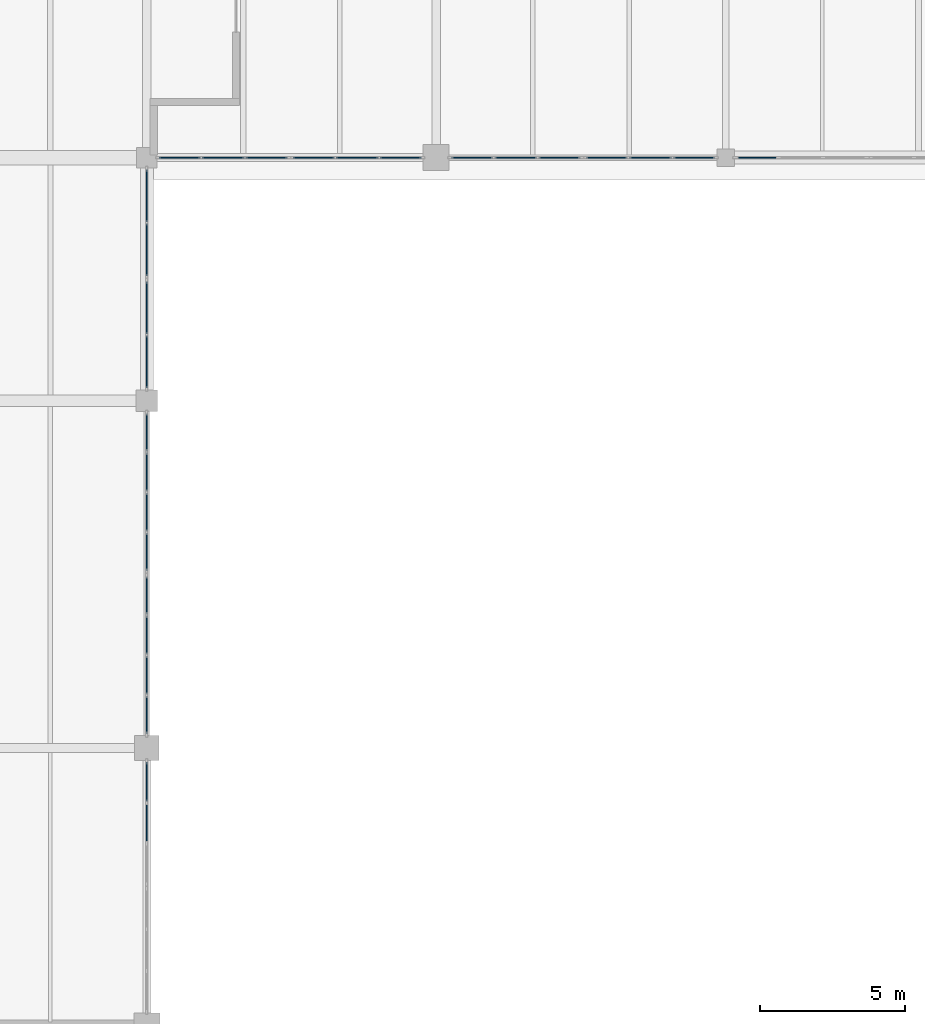
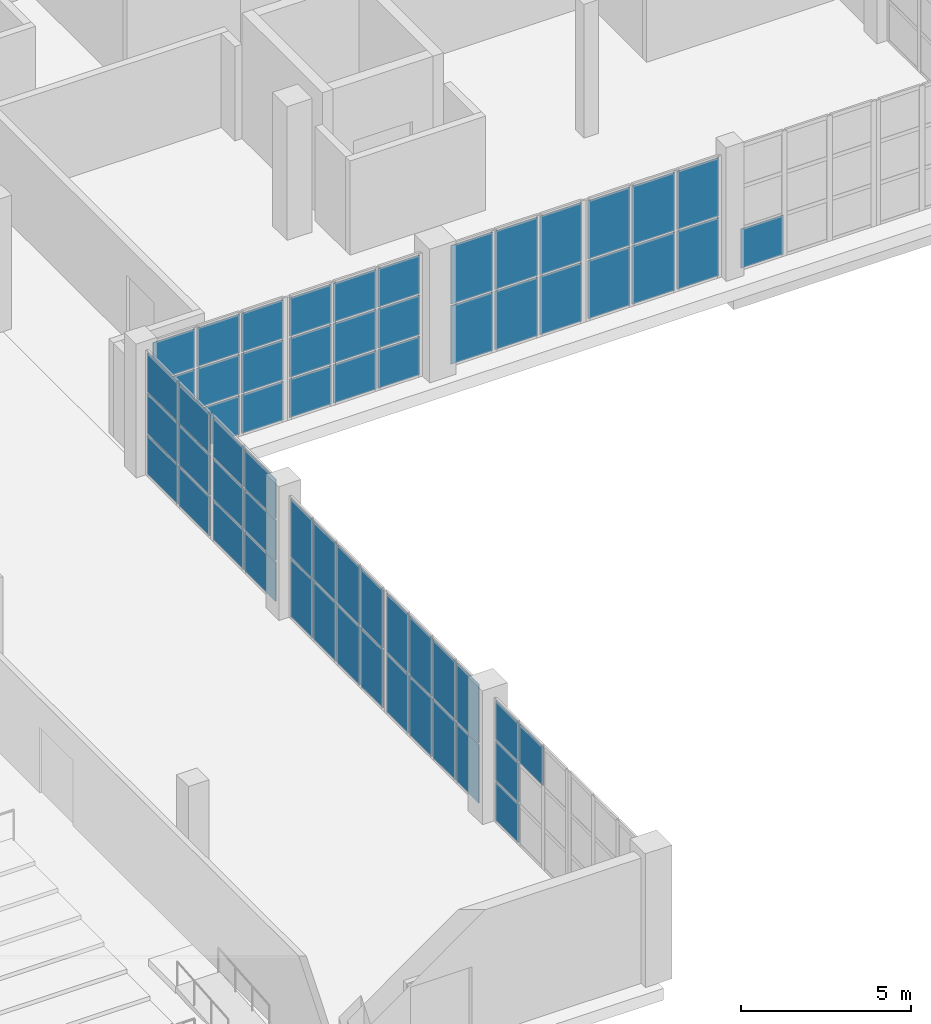
# One storey, part 92 of 121: 63 plates, 10 elements without a shape of their own.
"""IFC4 building model written with IfcOpenShell, lengths in metres."""

from ifc_helpers import new_model, si_unit, direction, frame, origin, origin_2d, place, context, subcontext, project, spatial, rectangle, extrude, material, layer, layer_set, type_object, element, aggregate, save


model = new_model("IFC4")

# Units and contexts
model_context = context("Model", 3, precision=1e-05, world=origin(), true_north=direction((0.0, 1.0)))
body_context = subcontext(model_context, "Body", "Model", "MODEL_VIEW")
ifc_project = project(units=[si_unit("LENGTHUNIT", "METRE"), si_unit("AREAUNIT", "SQUARE_METRE"), si_unit("VOLUMEUNIT", "CUBIC_METRE"), si_unit("PLANEANGLEUNIT", "RADIAN"), si_unit("MASSUNIT", "GRAM", prefix="KILO")], contexts=[model_context])

# Site, building, storey
site_placement = place(None, origin())
site = spatial("IfcSite", under=ifc_project, at=site_placement, CompositionType="ELEMENT")
building_placement = place(site_placement, origin())
building = spatial("IfcBuilding", under=site, at=building_placement, Name="Zereglee Splitstone Museum", CompositionType="ELEMENT")
storey_placement = place(building_placement, origin())
storey = spatial("IfcBuildingStorey", under=building, at=storey_placement, Name="L00", CompositionType="ELEMENT", Elevation=0.0)

# Curtain wall, plates
ifc_material_1 = material(Name="Triple-glazed low-E argon glass and bronze-anodised aluminium", Category="aluminium")
ifc_layer_1 = layer(ifc_material_1, 0.179931640625)
ifc_layer_set_1 = layer_set([ifc_layer_1], Name="Triple-glazed low-E argon glass and bronze-anodised aluminium")
curtain_wall_type_1 = type_object("IfcCurtainWallType", Name="CW-0431-442", PredefinedType="USERDEFINED", material=ifc_layer_set_1)
curtain_wall_1_placement = place(storey_placement, origin())
curtain_wall_1 = element("IfcCurtainWall", 1, at=curtain_wall_1_placement, inside=storey, type_object=curtain_wall_type_1, Name="Glazed Curtain Wall CW-0431-442 (L00)", ObjectType="GLAZED CURTAIN WALL", PredefinedType="USERDEFINED")
ifc_material_2 = material(Name="Triple low-e argon insulated safety glass", Category="glass")
ifc_layer_2 = layer(ifc_material_2, 0.035888671875)
ifc_layer_set_2 = layer_set([ifc_layer_2], Name="Triple low-e argon insulated safety glass")
plate_type = type_object("IfcPlateType", Name="CWP-01", PredefinedType="CURTAIN_PANEL", material=ifc_layer_set_2)
plate_1_placement = place(storey_placement, frame((296.0, 7.009765625, 2.97900390625), z_axis=(0.0, 0.0, 1.0), x_axis=(0.0, 1.0, 0.0)))
plate_1 = element("IfcPlate", 2, at=plate_1_placement, type_object=plate_type, Name="CW-0431-442 panel 2.3", PredefinedType="CURTAIN_PANEL", context=body_context, shape_type="SweptSolid", body=[
    extrude(rectangle(XDim=1.373046875, YDim=0.035888671875, at=origin_2d()), origin(), (0.0, 0.0, 1.0), 1.375732421875),
])
plate_2_placement = place(storey_placement, frame((296.0, 8.431640625, 0.06494140625), z_axis=(0.0, 0.0, 1.0), x_axis=(0.0, 1.0, 0.0)))
plate_2 = element("IfcPlate", 3, at=plate_2_placement, type_object=plate_type, Name="CW-0431-442 panel 3.1", PredefinedType="CURTAIN_PANEL", context=body_context, shape_type="SweptSolid", body=[
    extrude(rectangle(XDim=1.340576171875, YDim=0.035888671875, at=origin_2d()), origin(), (0.0, 0.0, 1.0), 1.375732421875),
])
plate_3_placement = place(storey_placement, frame((296.0, 8.431640625, 1.505859375), z_axis=(0.0, 0.0, 1.0), x_axis=(0.0, 1.0, 0.0)))
plate_3 = element("IfcPlate", 4, at=plate_3_placement, type_object=plate_type, Name="CW-0431-442 panel 3.2", PredefinedType="CURTAIN_PANEL", context=body_context, shape_type="SweptSolid", body=[
    extrude(rectangle(XDim=1.340576171875, YDim=0.035888671875, at=origin_2d()), origin(), (0.0, 0.0, 1.0), 1.408447265625),
])
plate_4_placement = place(storey_placement, frame((296.0, 8.431640625, 2.97900390625), z_axis=(0.0, 0.0, 1.0), x_axis=(0.0, 1.0, 0.0)))
plate_4 = element("IfcPlate", 5, at=plate_4_placement, type_object=plate_type, Name="CW-0431-442 panel 3.3", PredefinedType="CURTAIN_PANEL", context=body_context, shape_type="SweptSolid", body=[
    extrude(rectangle(XDim=1.340576171875, YDim=0.035888671875, at=origin_2d()), origin(), (0.0, 0.0, 1.0), 1.375732421875),
])
aggregate(curtain_wall_1, [plate_1, plate_2, plate_3, plate_4])

ifc_layer_3 = layer(ifc_material_1, 0.179931640625)
ifc_layer_set_3 = layer_set([ifc_layer_3], Name="Triple-glazed low-E argon glass and bronze-anodised aluminium")
curtain_wall_type_2 = type_object("IfcCurtainWallType", Name="CW-0555-438", PredefinedType="USERDEFINED", material=ifc_layer_set_3)
curtain_wall_2_placement = place(storey_placement, origin())
curtain_wall_2 = element("IfcCurtainWall", 6, at=curtain_wall_2_placement, inside=storey, type_object=curtain_wall_type_2, Name="Glazed Curtain Wall CW-0555-438 (L00)", ObjectType="GLAZED CURTAIN WALL", PredefinedType="USERDEFINED")
plate_5_placement = place(storey_placement, frame((296.0, 10.7431640625, 0.06494140625), z_axis=(0.0, 0.0, 1.0), x_axis=(0.0, 1.0, 0.0)))
plate_5 = element("IfcPlate", 7, at=plate_5_placement, type_object=plate_type, Name="CW-0555-438 panel 1.1", PredefinedType="CURTAIN_PANEL", context=body_context, shape_type="SweptSolid", body=[
    extrude(rectangle(XDim=1.29052734375, YDim=0.035888671875, at=origin_2d()), origin(), (0.0, 0.0, 1.0), 2.092529296875),
])
plate_6_placement = place(storey_placement, frame((296.0, 10.7431640625, 2.22265625), z_axis=(0.0, 0.0, 1.0), x_axis=(0.0, 1.0, 0.0)))
plate_6 = element("IfcPlate", 8, at=plate_6_placement, type_object=plate_type, Name="CW-0555-438 panel 1.2", PredefinedType="CURTAIN_PANEL", context=body_context, shape_type="SweptSolid", body=[
    extrude(rectangle(XDim=1.29052734375, YDim=0.035888671875, at=origin_2d()), origin(), (0.0, 0.0, 1.0), 2.092529296875),
])
plate_7_placement = place(storey_placement, frame((296.0, 12.114990234375, 0.06494140625), z_axis=(0.0, 0.0, 1.0), x_axis=(0.0, 1.0, 0.0)))
plate_7 = element("IfcPlate", 9, at=plate_7_placement, type_object=plate_type, Name="CW-0555-438 panel 2.1", PredefinedType="CURTAIN_PANEL", context=body_context, shape_type="SweptSolid", body=[
    extrude(rectangle(XDim=1.322998046875, YDim=0.035888671875, at=origin_2d()), origin(), (0.0, 0.0, 1.0), 2.092529296875),
])
plate_8_placement = place(storey_placement, frame((296.0, 12.114990234375, 2.22265625), z_axis=(0.0, 0.0, 1.0), x_axis=(0.0, 1.0, 0.0)))
plate_8 = element("IfcPlate", 10, at=plate_8_placement, type_object=plate_type, Name="CW-0555-438 panel 2.2", PredefinedType="CURTAIN_PANEL", context=body_context, shape_type="SweptSolid", body=[
    extrude(rectangle(XDim=1.322998046875, YDim=0.035888671875, at=origin_2d()), origin(), (0.0, 0.0, 1.0), 2.092529296875),
])
plate_9_placement = place(storey_placement, frame((296.0, 13.5029296875, 0.06494140625), z_axis=(0.0, 0.0, 1.0), x_axis=(0.0, 1.0, 0.0)))
plate_9 = element("IfcPlate", 11, at=plate_9_placement, type_object=plate_type, Name="CW-0555-438 panel 3.1", PredefinedType="CURTAIN_PANEL", context=body_context, shape_type="SweptSolid", body=[
    extrude(rectangle(XDim=1.322998046875, YDim=0.035888671875, at=origin_2d()), origin(), (0.0, 0.0, 1.0), 2.092529296875),
])
plate_10_placement = place(storey_placement, frame((296.0, 13.5029296875, 2.22265625), z_axis=(0.0, 0.0, 1.0), x_axis=(0.0, 1.0, 0.0)))
plate_10 = element("IfcPlate", 12, at=plate_10_placement, type_object=plate_type, Name="CW-0555-438 panel 3.2", PredefinedType="CURTAIN_PANEL", context=body_context, shape_type="SweptSolid", body=[
    extrude(rectangle(XDim=1.322998046875, YDim=0.035888671875, at=origin_2d()), origin(), (0.0, 0.0, 1.0), 2.092529296875),
])
plate_11_placement = place(storey_placement, frame((296.0, 14.874755859375, 0.06494140625), z_axis=(0.0, 0.0, 1.0), x_axis=(0.0, 1.0, 0.0)))
plate_11 = element("IfcPlate", 13, at=plate_11_placement, type_object=plate_type, Name="CW-0555-438 panel 4.1", PredefinedType="CURTAIN_PANEL", context=body_context, shape_type="SweptSolid", body=[
    extrude(rectangle(XDim=1.29052734375, YDim=0.035888671875, at=origin_2d()), origin(), (0.0, 0.0, 1.0), 2.092529296875),
])
plate_12_placement = place(storey_placement, frame((296.0, 14.874755859375, 2.22265625), z_axis=(0.0, 0.0, 1.0), x_axis=(0.0, 1.0, 0.0)))
plate_12 = element("IfcPlate", 14, at=plate_12_placement, type_object=plate_type, Name="CW-0555-438 panel 4.2", PredefinedType="CURTAIN_PANEL", context=body_context, shape_type="SweptSolid", body=[
    extrude(rectangle(XDim=1.29052734375, YDim=0.035888671875, at=origin_2d()), origin(), (0.0, 0.0, 1.0), 2.092529296875),
])
aggregate(curtain_wall_2, [plate_5, plate_6, plate_7, plate_8, plate_9, plate_10, plate_11, plate_12])

ifc_layer_4 = layer(ifc_material_1, 0.179931640625)
ifc_layer_set_4 = layer_set([ifc_layer_4], Name="Triple-glazed low-E argon glass and bronze-anodised aluminium")
curtain_wall_type_3 = type_object("IfcCurtainWallType", Name="CW-0555-436", PredefinedType="USERDEFINED", material=ifc_layer_set_4)
curtain_wall_3_placement = place(storey_placement, origin())
curtain_wall_3 = element("IfcCurtainWall", 15, at=curtain_wall_3_placement, inside=storey, type_object=curtain_wall_type_3, Name="Glazed Curtain Wall CW-0555-436 (L00)", ObjectType="GLAZED CURTAIN WALL", PredefinedType="USERDEFINED")
plate_13_placement = place(storey_placement, frame((296.0, 16.375244140625, 0.06494140625), z_axis=(0.0, 0.0, 1.0), x_axis=(0.0, 1.0, 0.0)))
plate_13 = element("IfcPlate", 16, at=plate_13_placement, type_object=plate_type, Name="CW-0555-436 panel 1.1", PredefinedType="CURTAIN_PANEL", context=body_context, shape_type="SweptSolid", body=[
    extrude(rectangle(XDim=1.29052734375, YDim=0.035888671875, at=origin_2d()), origin(), (0.0, 0.0, 1.0), 2.08251953125),
])
plate_14_placement = place(storey_placement, frame((296.0, 16.375244140625, 2.21240234375), z_axis=(0.0, 0.0, 1.0), x_axis=(0.0, 1.0, 0.0)))
plate_14 = element("IfcPlate", 17, at=plate_14_placement, type_object=plate_type, Name="CW-0555-436 panel 1.2", PredefinedType="CURTAIN_PANEL", context=body_context, shape_type="SweptSolid", body=[
    extrude(rectangle(XDim=1.29052734375, YDim=0.035888671875, at=origin_2d()), origin(), (0.0, 0.0, 1.0), 2.08251953125),
])
plate_15_placement = place(storey_placement, frame((296.0, 17.7470703125, 0.06494140625), z_axis=(0.0, 0.0, 1.0), x_axis=(0.0, 1.0, 0.0)))
plate_15 = element("IfcPlate", 18, at=plate_15_placement, type_object=plate_type, Name="CW-0555-436 panel 2.1", PredefinedType="CURTAIN_PANEL", context=body_context, shape_type="SweptSolid", body=[
    extrude(rectangle(XDim=1.322998046875, YDim=0.035888671875, at=origin_2d()), origin(), (0.0, 0.0, 1.0), 2.08251953125),
])
plate_16_placement = place(storey_placement, frame((296.0, 17.7470703125, 2.21240234375), z_axis=(0.0, 0.0, 1.0), x_axis=(0.0, 1.0, 0.0)))
plate_16 = element("IfcPlate", 19, at=plate_16_placement, type_object=plate_type, Name="CW-0555-436 panel 2.2", PredefinedType="CURTAIN_PANEL", context=body_context, shape_type="SweptSolid", body=[
    extrude(rectangle(XDim=1.322998046875, YDim=0.035888671875, at=origin_2d()), origin(), (0.0, 0.0, 1.0), 2.08251953125),
])
plate_17_placement = place(storey_placement, frame((296.0, 19.135009765625, 0.06494140625), z_axis=(0.0, 0.0, 1.0), x_axis=(0.0, 1.0, 0.0)))
plate_17 = element("IfcPlate", 20, at=plate_17_placement, type_object=plate_type, Name="CW-0555-436 panel 3.1", PredefinedType="CURTAIN_PANEL", context=body_context, shape_type="SweptSolid", body=[
    extrude(rectangle(XDim=1.322998046875, YDim=0.035888671875, at=origin_2d()), origin(), (0.0, 0.0, 1.0), 2.08251953125),
])
plate_18_placement = place(storey_placement, frame((296.0, 19.135009765625, 2.21240234375), z_axis=(0.0, 0.0, 1.0), x_axis=(0.0, 1.0, 0.0)))
plate_18 = element("IfcPlate", 21, at=plate_18_placement, type_object=plate_type, Name="CW-0555-436 panel 3.2", PredefinedType="CURTAIN_PANEL", context=body_context, shape_type="SweptSolid", body=[
    extrude(rectangle(XDim=1.322998046875, YDim=0.035888671875, at=origin_2d()), origin(), (0.0, 0.0, 1.0), 2.08251953125),
])
plate_19_placement = place(storey_placement, frame((296.0, 20.5068359375, 0.06494140625), z_axis=(0.0, 0.0, 1.0), x_axis=(0.0, 1.0, 0.0)))
plate_19 = element("IfcPlate", 22, at=plate_19_placement, type_object=plate_type, Name="CW-0555-436 panel 4.1", PredefinedType="CURTAIN_PANEL", context=body_context, shape_type="SweptSolid", body=[
    extrude(rectangle(XDim=1.29052734375, YDim=0.035888671875, at=origin_2d()), origin(), (0.0, 0.0, 1.0), 2.08251953125),
])
plate_20_placement = place(storey_placement, frame((296.0, 20.5068359375, 2.21240234375), z_axis=(0.0, 0.0, 1.0), x_axis=(0.0, 1.0, 0.0)))
plate_20 = element("IfcPlate", 23, at=plate_20_placement, type_object=plate_type, Name="CW-0555-436 panel 4.2", PredefinedType="CURTAIN_PANEL", context=body_context, shape_type="SweptSolid", body=[
    extrude(rectangle(XDim=1.29052734375, YDim=0.035888671875, at=origin_2d()), origin(), (0.0, 0.0, 1.0), 2.08251953125),
])
aggregate(curtain_wall_3, [plate_13, plate_14, plate_15, plate_16, plate_17, plate_18, plate_19, plate_20])

ifc_layer_5 = layer(ifc_material_1, 0.179931640625)
ifc_layer_set_5 = layer_set([ifc_layer_5], Name="Triple-glazed low-E argon glass and bronze-anodised aluminium")
curtain_wall_type_4 = type_object("IfcCurtainWallType", Name="CW-0379-450", PredefinedType="USERDEFINED", material=ifc_layer_set_5)
curtain_wall_4_placement = place(storey_placement, origin())
curtain_wall_4 = element("IfcCurtainWall", 24, at=curtain_wall_4_placement, inside=storey, type_object=curtain_wall_type_4, Name="Glazed Curtain Wall CW-0379-450 (L00)", ObjectType="GLAZED CURTAIN WALL", PredefinedType="USERDEFINED")
plate_21_placement = place(storey_placement, frame((296.0, 22.946533203125, 0.06494140625), z_axis=(0.0, 0.0, 1.0), x_axis=(0.0, 1.0, 0.0)))
plate_21 = element("IfcPlate", 25, at=plate_21_placement, type_object=plate_type, Name="CW-0379-450 panel 1.1", PredefinedType="CURTAIN_PANEL", context=body_context, shape_type="SweptSolid", body=[
    extrude(rectangle(XDim=1.79736328125, YDim=0.035888671875, at=origin_2d()), origin(), (0.0, 0.0, 1.0), 1.402587890625),
])
plate_22_placement = place(storey_placement, frame((296.0, 22.946533203125, 1.532470703125), z_axis=(0.0, 0.0, 1.0), x_axis=(0.0, 1.0, 0.0)))
plate_22 = element("IfcPlate", 26, at=plate_22_placement, type_object=plate_type, Name="CW-0379-450 panel 1.2", PredefinedType="CURTAIN_PANEL", context=body_context, shape_type="SweptSolid", body=[
    extrude(rectangle(XDim=1.79736328125, YDim=0.035888671875, at=origin_2d()), origin(), (0.0, 0.0, 1.0), 1.43505859375),
])
plate_23_placement = place(storey_placement, frame((296.0, 22.946533203125, 3.0322265625), z_axis=(0.0, 0.0, 1.0), x_axis=(0.0, 1.0, 0.0)))
plate_23 = element("IfcPlate", 27, at=plate_23_placement, type_object=plate_type, Name="CW-0379-450 panel 1.3", PredefinedType="CURTAIN_PANEL", context=body_context, shape_type="SweptSolid", body=[
    extrude(rectangle(XDim=1.79736328125, YDim=0.035888671875, at=origin_2d()), origin(), (0.0, 0.0, 1.0), 1.402587890625),
])
plate_24_placement = place(storey_placement, frame((296.0, 24.808837890625, 0.06494140625), z_axis=(0.0, 0.0, 1.0), x_axis=(0.0, 1.0, 0.0)))
plate_24 = element("IfcPlate", 28, at=plate_24_placement, type_object=plate_type, Name="CW-0379-450 panel 2.1", PredefinedType="CURTAIN_PANEL", context=body_context, shape_type="SweptSolid", body=[
    extrude(rectangle(XDim=1.79736328125, YDim=0.035888671875, at=origin_2d()), origin(), (0.0, 0.0, 1.0), 1.402587890625),
])
plate_25_placement = place(storey_placement, frame((296.0, 24.808837890625, 1.532470703125), z_axis=(0.0, 0.0, 1.0), x_axis=(0.0, 1.0, 0.0)))
plate_25 = element("IfcPlate", 29, at=plate_25_placement, type_object=plate_type, Name="CW-0379-450 panel 2.2", PredefinedType="CURTAIN_PANEL", context=body_context, shape_type="SweptSolid", body=[
    extrude(rectangle(XDim=1.79736328125, YDim=0.035888671875, at=origin_2d()), origin(), (0.0, 0.0, 1.0), 1.43505859375),
])
plate_26_placement = place(storey_placement, frame((296.0, 24.808837890625, 3.0322265625), z_axis=(0.0, 0.0, 1.0), x_axis=(0.0, 1.0, 0.0)))
plate_26 = element("IfcPlate", 30, at=plate_26_placement, type_object=plate_type, Name="CW-0379-450 panel 2.3", PredefinedType="CURTAIN_PANEL", context=body_context, shape_type="SweptSolid", body=[
    extrude(rectangle(XDim=1.79736328125, YDim=0.035888671875, at=origin_2d()), origin(), (0.0, 0.0, 1.0), 1.402587890625),
])
aggregate(curtain_wall_4, [plate_21, plate_22, plate_23, plate_24, plate_25, plate_26])

ifc_layer_6 = layer(ifc_material_1, 0.179931640625)
ifc_layer_set_6 = layer_set([ifc_layer_6], Name="Triple-glazed low-E argon glass and bronze-anodised aluminium")
curtain_wall_type_5 = type_object("IfcCurtainWallType", Name="CW-0379-448", PredefinedType="USERDEFINED", material=ifc_layer_set_6)
curtain_wall_5_placement = place(storey_placement, origin())
curtain_wall_5 = element("IfcCurtainWall", 31, at=curtain_wall_5_placement, inside=storey, type_object=curtain_wall_type_5, Name="Glazed Curtain Wall CW-0379-448 (L00)", ObjectType="GLAZED CURTAIN WALL", PredefinedType="USERDEFINED")
plate_27_placement = place(storey_placement, frame((296.0, 26.816162109375, 0.06494140625), z_axis=(0.0, 0.0, 1.0), x_axis=(0.0, 1.0, 0.0)))
plate_27 = element("IfcPlate", 32, at=plate_27_placement, type_object=plate_type, Name="CW-0379-448 panel 1.1", PredefinedType="CURTAIN_PANEL", context=body_context, shape_type="SweptSolid", body=[
    extrude(rectangle(XDim=1.79736328125, YDim=0.035888671875, at=origin_2d()), origin(), (0.0, 0.0, 1.0), 1.395751953125),
])
plate_28_placement = place(storey_placement, frame((296.0, 26.816162109375, 1.52587890625), z_axis=(0.0, 0.0, 1.0), x_axis=(0.0, 1.0, 0.0)))
plate_28 = element("IfcPlate", 33, at=plate_28_placement, type_object=plate_type, Name="CW-0379-448 panel 1.2", PredefinedType="CURTAIN_PANEL", context=body_context, shape_type="SweptSolid", body=[
    extrude(rectangle(XDim=1.79736328125, YDim=0.035888671875, at=origin_2d()), origin(), (0.0, 0.0, 1.0), 1.428466796875),
])
plate_29_placement = place(storey_placement, frame((296.0, 26.816162109375, 3.01904296875), z_axis=(0.0, 0.0, 1.0), x_axis=(0.0, 1.0, 0.0)))
plate_29 = element("IfcPlate", 34, at=plate_29_placement, type_object=plate_type, Name="CW-0379-448 panel 1.3", PredefinedType="CURTAIN_PANEL", context=body_context, shape_type="SweptSolid", body=[
    extrude(rectangle(XDim=1.79736328125, YDim=0.035888671875, at=origin_2d()), origin(), (0.0, 0.0, 1.0), 1.395751953125),
])
plate_30_placement = place(storey_placement, frame((296.0, 28.678466796875, 0.06494140625), z_axis=(0.0, 0.0, 1.0), x_axis=(0.0, 1.0, 0.0)))
plate_30 = element("IfcPlate", 35, at=plate_30_placement, type_object=plate_type, Name="CW-0379-448 panel 2.1", PredefinedType="CURTAIN_PANEL", context=body_context, shape_type="SweptSolid", body=[
    extrude(rectangle(XDim=1.79736328125, YDim=0.035888671875, at=origin_2d()), origin(), (0.0, 0.0, 1.0), 1.395751953125),
])
plate_31_placement = place(storey_placement, frame((296.0, 28.678466796875, 1.52587890625), z_axis=(0.0, 0.0, 1.0), x_axis=(0.0, 1.0, 0.0)))
plate_31 = element("IfcPlate", 36, at=plate_31_placement, type_object=plate_type, Name="CW-0379-448 panel 2.2", PredefinedType="CURTAIN_PANEL", context=body_context, shape_type="SweptSolid", body=[
    extrude(rectangle(XDim=1.79736328125, YDim=0.035888671875, at=origin_2d()), origin(), (0.0, 0.0, 1.0), 1.428466796875),
])
plate_32_placement = place(storey_placement, frame((296.0, 28.678466796875, 3.01904296875), z_axis=(0.0, 0.0, 1.0), x_axis=(0.0, 1.0, 0.0)))
plate_32 = element("IfcPlate", 37, at=plate_32_placement, type_object=plate_type, Name="CW-0379-448 panel 2.3", PredefinedType="CURTAIN_PANEL", context=body_context, shape_type="SweptSolid", body=[
    extrude(rectangle(XDim=1.79736328125, YDim=0.035888671875, at=origin_2d()), origin(), (0.0, 0.0, 1.0), 1.395751953125),
])
aggregate(curtain_wall_5, [plate_27, plate_28, plate_29, plate_30, plate_31, plate_32])

ifc_layer_7 = layer(ifc_material_1, 0.179931640625)
ifc_layer_set_7 = layer_set([ifc_layer_7], Name="Triple-glazed low-E argon glass and bronze-anodised aluminium")
curtain_wall_type_6 = type_object("IfcCurtainWallType", Name="CW-0455-444", PredefinedType="USERDEFINED", material=ifc_layer_set_7)
curtain_wall_6_placement = place(storey_placement, origin())
curtain_wall_6 = element("IfcCurtainWall", 38, at=curtain_wall_6_placement, inside=storey, type_object=curtain_wall_type_6, Name="Glazed Curtain Wall CW-0455-444 (L00)", ObjectType="GLAZED CURTAIN WALL", PredefinedType="USERDEFINED")
plate_33_placement = place(storey_placement, frame((297.1328125, 30.0, 0.06494140625), z_axis=(0.0, 0.0, 1.0), x_axis=(1.0, 0.0, 0.0)))
plate_33 = element("IfcPlate", 39, at=plate_33_placement, type_object=plate_type, Name="CW-0455-444 panel 1.1", PredefinedType="CURTAIN_PANEL", context=body_context, shape_type="SweptSolid", body=[
    extrude(rectangle(XDim=1.419921875, YDim=0.035888671875, at=origin_2d()), origin(), (0.0, 0.0, 1.0), 1.382568359375),
])
plate_34_placement = place(storey_placement, frame((297.1328125, 30.0, 1.512451171875), z_axis=(0.0, 0.0, 1.0), x_axis=(1.0, 0.0, 0.0)))
plate_34 = element("IfcPlate", 40, at=plate_34_placement, type_object=plate_type, Name="CW-0455-444 panel 1.2", PredefinedType="CURTAIN_PANEL", context=body_context, shape_type="SweptSolid", body=[
    extrude(rectangle(XDim=1.419921875, YDim=0.035888671875, at=origin_2d()), origin(), (0.0, 0.0, 1.0), 1.4150390625),
])
plate_35_placement = place(storey_placement, frame((297.1328125, 30.0, 2.99267578125), z_axis=(0.0, 0.0, 1.0), x_axis=(1.0, 0.0, 0.0)))
plate_35 = element("IfcPlate", 41, at=plate_35_placement, type_object=plate_type, Name="CW-0455-444 panel 1.3", PredefinedType="CURTAIN_PANEL", context=body_context, shape_type="SweptSolid", body=[
    extrude(rectangle(XDim=1.419921875, YDim=0.035888671875, at=origin_2d()), origin(), (0.0, 0.0, 1.0), 1.382568359375),
])
plate_36_placement = place(storey_placement, frame((298.634033203125, 30.0, 0.06494140625), z_axis=(0.0, 0.0, 1.0), x_axis=(1.0, 0.0, 0.0)))
plate_36 = element("IfcPlate", 42, at=plate_36_placement, type_object=plate_type, Name="CW-0455-444 panel 2.1", PredefinedType="CURTAIN_PANEL", context=body_context, shape_type="SweptSolid", body=[
    extrude(rectangle(XDim=1.452392578125, YDim=0.035888671875, at=origin_2d()), origin(), (0.0, 0.0, 1.0), 1.382568359375),
])
plate_37_placement = place(storey_placement, frame((298.634033203125, 30.0, 1.512451171875), z_axis=(0.0, 0.0, 1.0), x_axis=(1.0, 0.0, 0.0)))
plate_37 = element("IfcPlate", 43, at=plate_37_placement, type_object=plate_type, Name="CW-0455-444 panel 2.2", PredefinedType="CURTAIN_PANEL", context=body_context, shape_type="SweptSolid", body=[
    extrude(rectangle(XDim=1.452392578125, YDim=0.035888671875, at=origin_2d()), origin(), (0.0, 0.0, 1.0), 1.4150390625),
])
plate_38_placement = place(storey_placement, frame((298.634033203125, 30.0, 2.99267578125), z_axis=(0.0, 0.0, 1.0), x_axis=(1.0, 0.0, 0.0)))
plate_38 = element("IfcPlate", 44, at=plate_38_placement, type_object=plate_type, Name="CW-0455-444 panel 2.3", PredefinedType="CURTAIN_PANEL", context=body_context, shape_type="SweptSolid", body=[
    extrude(rectangle(XDim=1.452392578125, YDim=0.035888671875, at=origin_2d()), origin(), (0.0, 0.0, 1.0), 1.382568359375),
])
plate_39_placement = place(storey_placement, frame((300.135009765625, 30.0, 0.06494140625), z_axis=(0.0, 0.0, 1.0), x_axis=(1.0, 0.0, 0.0)))
plate_39 = element("IfcPlate", 45, at=plate_39_placement, type_object=plate_type, Name="CW-0455-444 panel 3.1", PredefinedType="CURTAIN_PANEL", context=body_context, shape_type="SweptSolid", body=[
    extrude(rectangle(XDim=1.419921875, YDim=0.035888671875, at=origin_2d()), origin(), (0.0, 0.0, 1.0), 1.382568359375),
])
plate_40_placement = place(storey_placement, frame((300.135009765625, 30.0, 1.512451171875), z_axis=(0.0, 0.0, 1.0), x_axis=(1.0, 0.0, 0.0)))
plate_40 = element("IfcPlate", 46, at=plate_40_placement, type_object=plate_type, Name="CW-0455-444 panel 3.2", PredefinedType="CURTAIN_PANEL", context=body_context, shape_type="SweptSolid", body=[
    extrude(rectangle(XDim=1.419921875, YDim=0.035888671875, at=origin_2d()), origin(), (0.0, 0.0, 1.0), 1.4150390625),
])
plate_41_placement = place(storey_placement, frame((300.135009765625, 30.0, 2.99267578125), z_axis=(0.0, 0.0, 1.0), x_axis=(1.0, 0.0, 0.0)))
plate_41 = element("IfcPlate", 47, at=plate_41_placement, type_object=plate_type, Name="CW-0455-444 panel 3.3", PredefinedType="CURTAIN_PANEL", context=body_context, shape_type="SweptSolid", body=[
    extrude(rectangle(XDim=1.419921875, YDim=0.035888671875, at=origin_2d()), origin(), (0.0, 0.0, 1.0), 1.382568359375),
])
aggregate(curtain_wall_6, [plate_33, plate_34, plate_35, plate_36, plate_37, plate_38, plate_39, plate_40, plate_41])

ifc_layer_8 = layer(ifc_material_1, 0.179931640625)
ifc_layer_set_8 = layer_set([ifc_layer_8], Name="Triple-glazed low-E argon glass and bronze-anodised aluminium")
curtain_wall_type_7 = type_object("IfcCurtainWallType", Name="CW-0455-442", PredefinedType="USERDEFINED", material=ifc_layer_set_8)
curtain_wall_7_placement = place(storey_placement, origin())
curtain_wall_7 = element("IfcCurtainWall", 48, at=curtain_wall_7_placement, inside=storey, type_object=curtain_wall_type_7, Name="Glazed Curtain Wall CW-0455-442 (L00)", ObjectType="GLAZED CURTAIN WALL", PredefinedType="USERDEFINED")
plate_42_placement = place(storey_placement, frame((301.764892578125, 30.0, 0.06494140625), z_axis=(0.0, 0.0, 1.0), x_axis=(1.0, 0.0, 0.0)))
plate_42 = element("IfcPlate", 49, at=plate_42_placement, type_object=plate_type, Name="CW-0455-442 panel 1.1", PredefinedType="CURTAIN_PANEL", context=body_context, shape_type="SweptSolid", body=[
    extrude(rectangle(XDim=1.419921875, YDim=0.035888671875, at=origin_2d()), origin(), (0.0, 0.0, 1.0), 1.375732421875),
])
plate_43_placement = place(storey_placement, frame((301.764892578125, 30.0, 1.505859375), z_axis=(0.0, 0.0, 1.0), x_axis=(1.0, 0.0, 0.0)))
plate_43 = element("IfcPlate", 50, at=plate_43_placement, type_object=plate_type, Name="CW-0455-442 panel 1.2", PredefinedType="CURTAIN_PANEL", context=body_context, shape_type="SweptSolid", body=[
    extrude(rectangle(XDim=1.419921875, YDim=0.035888671875, at=origin_2d()), origin(), (0.0, 0.0, 1.0), 1.408447265625),
])
plate_44_placement = place(storey_placement, frame((301.764892578125, 30.0, 2.97900390625), z_axis=(0.0, 0.0, 1.0), x_axis=(1.0, 0.0, 0.0)))
plate_44 = element("IfcPlate", 51, at=plate_44_placement, type_object=plate_type, Name="CW-0455-442 panel 1.3", PredefinedType="CURTAIN_PANEL", context=body_context, shape_type="SweptSolid", body=[
    extrude(rectangle(XDim=1.419921875, YDim=0.035888671875, at=origin_2d()), origin(), (0.0, 0.0, 1.0), 1.375732421875),
])
plate_45_placement = place(storey_placement, frame((303.26611328125, 30.0, 0.06494140625), z_axis=(0.0, 0.0, 1.0), x_axis=(1.0, 0.0, 0.0)))
plate_45 = element("IfcPlate", 52, at=plate_45_placement, type_object=plate_type, Name="CW-0455-442 panel 2.1", PredefinedType="CURTAIN_PANEL", context=body_context, shape_type="SweptSolid", body=[
    extrude(rectangle(XDim=1.452392578125, YDim=0.035888671875, at=origin_2d()), origin(), (0.0, 0.0, 1.0), 1.375732421875),
])
plate_46_placement = place(storey_placement, frame((303.26611328125, 30.0, 1.505859375), z_axis=(0.0, 0.0, 1.0), x_axis=(1.0, 0.0, 0.0)))
plate_46 = element("IfcPlate", 53, at=plate_46_placement, type_object=plate_type, Name="CW-0455-442 panel 2.2", PredefinedType="CURTAIN_PANEL", context=body_context, shape_type="SweptSolid", body=[
    extrude(rectangle(XDim=1.452392578125, YDim=0.035888671875, at=origin_2d()), origin(), (0.0, 0.0, 1.0), 1.408447265625),
])
plate_47_placement = place(storey_placement, frame((303.26611328125, 30.0, 2.97900390625), z_axis=(0.0, 0.0, 1.0), x_axis=(1.0, 0.0, 0.0)))
plate_47 = element("IfcPlate", 54, at=plate_47_placement, type_object=plate_type, Name="CW-0455-442 panel 2.3", PredefinedType="CURTAIN_PANEL", context=body_context, shape_type="SweptSolid", body=[
    extrude(rectangle(XDim=1.452392578125, YDim=0.035888671875, at=origin_2d()), origin(), (0.0, 0.0, 1.0), 1.375732421875),
])
plate_48_placement = place(storey_placement, frame((304.76708984375, 30.0, 0.06494140625), z_axis=(0.0, 0.0, 1.0), x_axis=(1.0, 0.0, 0.0)))
plate_48 = element("IfcPlate", 55, at=plate_48_placement, type_object=plate_type, Name="CW-0455-442 panel 3.1", PredefinedType="CURTAIN_PANEL", context=body_context, shape_type="SweptSolid", body=[
    extrude(rectangle(XDim=1.419921875, YDim=0.035888671875, at=origin_2d()), origin(), (0.0, 0.0, 1.0), 1.375732421875),
])
plate_49_placement = place(storey_placement, frame((304.76708984375, 30.0, 1.505859375), z_axis=(0.0, 0.0, 1.0), x_axis=(1.0, 0.0, 0.0)))
plate_49 = element("IfcPlate", 56, at=plate_49_placement, type_object=plate_type, Name="CW-0455-442 panel 3.2", PredefinedType="CURTAIN_PANEL", context=body_context, shape_type="SweptSolid", body=[
    extrude(rectangle(XDim=1.419921875, YDim=0.035888671875, at=origin_2d()), origin(), (0.0, 0.0, 1.0), 1.408447265625),
])
plate_50_placement = place(storey_placement, frame((304.76708984375, 30.0, 2.97900390625), z_axis=(0.0, 0.0, 1.0), x_axis=(1.0, 0.0, 0.0)))
plate_50 = element("IfcPlate", 57, at=plate_50_placement, type_object=plate_type, Name="CW-0455-442 panel 3.3", PredefinedType="CURTAIN_PANEL", context=body_context, shape_type="SweptSolid", body=[
    extrude(rectangle(XDim=1.419921875, YDim=0.035888671875, at=origin_2d()), origin(), (0.0, 0.0, 1.0), 1.375732421875),
])
aggregate(curtain_wall_7, [plate_42, plate_43, plate_44, plate_45, plate_46, plate_47, plate_48, plate_49, plate_50])

ifc_layer_9 = layer(ifc_material_1, 0.179931640625)
ifc_layer_set_9 = layer_set([ifc_layer_9], Name="Triple-glazed low-E argon glass and bronze-anodised aluminium")
curtain_wall_type_8 = type_object("IfcCurtainWallType", Name="CW-0458-438", PredefinedType="USERDEFINED", material=ifc_layer_set_9)
curtain_wall_8_placement = place(storey_placement, origin())
curtain_wall_8 = element("IfcCurtainWall", 58, at=curtain_wall_8_placement, inside=storey, type_object=curtain_wall_type_8, Name="Glazed Curtain Wall CW-0458-438 (L00)", ObjectType="GLAZED CURTAIN WALL", PredefinedType="USERDEFINED")
plate_51_placement = place(storey_placement, frame((307.237060546875, 30.0, 0.06494140625), z_axis=(0.0, 0.0, 1.0), x_axis=(1.0, 0.0, 0.0)))
plate_51 = element("IfcPlate", 59, at=plate_51_placement, type_object=plate_type, Name="CW-0458-438 panel 1.1", PredefinedType="CURTAIN_PANEL", context=body_context, shape_type="SweptSolid", body=[
    extrude(rectangle(XDim=1.42822265625, YDim=0.035888671875, at=origin_2d()), origin(), (0.0, 0.0, 1.0), 2.092529296875),
])
plate_52_placement = place(storey_placement, frame((307.237060546875, 30.0, 2.22265625), z_axis=(0.0, 0.0, 1.0), x_axis=(1.0, 0.0, 0.0)))
plate_52 = element("IfcPlate", 60, at=plate_52_placement, type_object=plate_type, Name="CW-0458-438 panel 1.2", PredefinedType="CURTAIN_PANEL", context=body_context, shape_type="SweptSolid", body=[
    extrude(rectangle(XDim=1.42822265625, YDim=0.035888671875, at=origin_2d()), origin(), (0.0, 0.0, 1.0), 2.092529296875),
])
plate_53_placement = place(storey_placement, frame((308.74658203125, 30.0, 0.06494140625), z_axis=(0.0, 0.0, 1.0), x_axis=(1.0, 0.0, 0.0)))
plate_53 = element("IfcPlate", 61, at=plate_53_placement, type_object=plate_type, Name="CW-0458-438 panel 2.1", PredefinedType="CURTAIN_PANEL", context=body_context, shape_type="SweptSolid", body=[
    extrude(rectangle(XDim=1.460693359375, YDim=0.035888671875, at=origin_2d()), origin(), (0.0, 0.0, 1.0), 2.092529296875),
])
plate_54_placement = place(storey_placement, frame((308.74658203125, 30.0, 2.22265625), z_axis=(0.0, 0.0, 1.0), x_axis=(1.0, 0.0, 0.0)))
plate_54 = element("IfcPlate", 62, at=plate_54_placement, type_object=plate_type, Name="CW-0458-438 panel 2.2", PredefinedType="CURTAIN_PANEL", context=body_context, shape_type="SweptSolid", body=[
    extrude(rectangle(XDim=1.460693359375, YDim=0.035888671875, at=origin_2d()), origin(), (0.0, 0.0, 1.0), 2.092529296875),
])
plate_55_placement = place(storey_placement, frame((310.255859375, 30.0, 0.06494140625), z_axis=(0.0, 0.0, 1.0), x_axis=(1.0, 0.0, 0.0)))
plate_55 = element("IfcPlate", 63, at=plate_55_placement, type_object=plate_type, Name="CW-0458-438 panel 3.1", PredefinedType="CURTAIN_PANEL", context=body_context, shape_type="SweptSolid", body=[
    extrude(rectangle(XDim=1.42822265625, YDim=0.035888671875, at=origin_2d()), origin(), (0.0, 0.0, 1.0), 2.092529296875),
])
plate_56_placement = place(storey_placement, frame((310.255859375, 30.0, 2.22265625), z_axis=(0.0, 0.0, 1.0), x_axis=(1.0, 0.0, 0.0)))
plate_56 = element("IfcPlate", 64, at=plate_56_placement, type_object=plate_type, Name="CW-0458-438 panel 3.2", PredefinedType="CURTAIN_PANEL", context=body_context, shape_type="SweptSolid", body=[
    extrude(rectangle(XDim=1.42822265625, YDim=0.035888671875, at=origin_2d()), origin(), (0.0, 0.0, 1.0), 2.092529296875),
])
aggregate(curtain_wall_8, [plate_51, plate_52, plate_53, plate_54, plate_55, plate_56])

ifc_layer_10 = layer(ifc_material_1, 0.179931640625)
ifc_layer_set_10 = layer_set([ifc_layer_10], Name="Triple-glazed low-E argon glass and bronze-anodised aluminium")
curtain_wall_type_9 = type_object("IfcCurtainWallType", Name="CW-0458-436", PredefinedType="USERDEFINED", material=ifc_layer_set_10)
curtain_wall_9_placement = place(storey_placement, origin())
curtain_wall_9 = element("IfcCurtainWall", 65, at=curtain_wall_9_placement, inside=storey, type_object=curtain_wall_type_9, Name="Glazed Curtain Wall CW-0458-436 (L00)", ObjectType="GLAZED CURTAIN WALL", PredefinedType="USERDEFINED")
plate_57_placement = place(storey_placement, frame((311.89404296875, 30.0, 0.06494140625), z_axis=(0.0, 0.0, 1.0), x_axis=(1.0, 0.0, 0.0)))
plate_57 = element("IfcPlate", 66, at=plate_57_placement, type_object=plate_type, Name="CW-0458-436 panel 1.1", PredefinedType="CURTAIN_PANEL", context=body_context, shape_type="SweptSolid", body=[
    extrude(rectangle(XDim=1.42822265625, YDim=0.035888671875, at=origin_2d()), origin(), (0.0, 0.0, 1.0), 2.08251953125),
])
plate_58_placement = place(storey_placement, frame((311.89404296875, 30.0, 2.21240234375), z_axis=(0.0, 0.0, 1.0), x_axis=(1.0, 0.0, 0.0)))
plate_58 = element("IfcPlate", 67, at=plate_58_placement, type_object=plate_type, Name="CW-0458-436 panel 1.2", PredefinedType="CURTAIN_PANEL", context=body_context, shape_type="SweptSolid", body=[
    extrude(rectangle(XDim=1.42822265625, YDim=0.035888671875, at=origin_2d()), origin(), (0.0, 0.0, 1.0), 2.08251953125),
])
plate_59_placement = place(storey_placement, frame((313.403564453125, 30.0, 0.06494140625), z_axis=(0.0, 0.0, 1.0), x_axis=(1.0, 0.0, 0.0)))
plate_59 = element("IfcPlate", 68, at=plate_59_placement, type_object=plate_type, Name="CW-0458-436 panel 2.1", PredefinedType="CURTAIN_PANEL", context=body_context, shape_type="SweptSolid", body=[
    extrude(rectangle(XDim=1.460693359375, YDim=0.035888671875, at=origin_2d()), origin(), (0.0, 0.0, 1.0), 2.08251953125),
])
plate_60_placement = place(storey_placement, frame((313.403564453125, 30.0, 2.21240234375), z_axis=(0.0, 0.0, 1.0), x_axis=(1.0, 0.0, 0.0)))
plate_60 = element("IfcPlate", 69, at=plate_60_placement, type_object=plate_type, Name="CW-0458-436 panel 2.2", PredefinedType="CURTAIN_PANEL", context=body_context, shape_type="SweptSolid", body=[
    extrude(rectangle(XDim=1.460693359375, YDim=0.035888671875, at=origin_2d()), origin(), (0.0, 0.0, 1.0), 2.08251953125),
])
plate_61_placement = place(storey_placement, frame((314.912841796875, 30.0, 0.06494140625), z_axis=(0.0, 0.0, 1.0), x_axis=(1.0, 0.0, 0.0)))
plate_61 = element("IfcPlate", 70, at=plate_61_placement, type_object=plate_type, Name="CW-0458-436 panel 3.1", PredefinedType="CURTAIN_PANEL", context=body_context, shape_type="SweptSolid", body=[
    extrude(rectangle(XDim=1.42822265625, YDim=0.035888671875, at=origin_2d()), origin(), (0.0, 0.0, 1.0), 2.08251953125),
])
plate_62_placement = place(storey_placement, frame((314.912841796875, 30.0, 2.21240234375), z_axis=(0.0, 0.0, 1.0), x_axis=(1.0, 0.0, 0.0)))
plate_62 = element("IfcPlate", 71, at=plate_62_placement, type_object=plate_type, Name="CW-0458-436 panel 3.2", PredefinedType="CURTAIN_PANEL", context=body_context, shape_type="SweptSolid", body=[
    extrude(rectangle(XDim=1.42822265625, YDim=0.035888671875, at=origin_2d()), origin(), (0.0, 0.0, 1.0), 2.08251953125),
])
aggregate(curtain_wall_9, [plate_57, plate_58, plate_59, plate_60, plate_61, plate_62])

# Curtain wall, plate
ifc_layer_11 = layer(ifc_material_1, 0.179931640625)
ifc_layer_set_11 = layer_set([ifc_layer_11], Name="Triple-glazed low-E argon glass and bronze-anodised aluminium")
curtain_wall_type_10 = type_object("IfcCurtainWallType", Name="CW-0459-450", PredefinedType="USERDEFINED", material=ifc_layer_set_11)
curtain_wall_10_placement = place(storey_placement, origin())
curtain_wall_10 = element("IfcCurtainWall", 72, at=curtain_wall_10_placement, inside=storey, type_object=curtain_wall_type_10, Name="Glazed Curtain Wall CW-0459-450 (L00)", ObjectType="GLAZED CURTAIN WALL", PredefinedType="USERDEFINED")
plate_63_placement = place(storey_placement, frame((317.089111328125, 30.0, 0.06494140625), z_axis=(0.0, 0.0, 1.0), x_axis=(1.0, 0.0, 0.0)))
plate_63 = element("IfcPlate", 73, at=plate_63_placement, type_object=plate_type, Name="CW-0459-450 panel 1.1", PredefinedType="CURTAIN_PANEL", context=body_context, shape_type="SweptSolid", body=[
    extrude(rectangle(XDim=1.432373046875, YDim=0.035888671875, at=origin_2d()), origin(), (0.0, 0.0, 1.0), 1.402587890625),
])
aggregate(curtain_wall_10, [plate_63])

save(model, "model.ifc")
